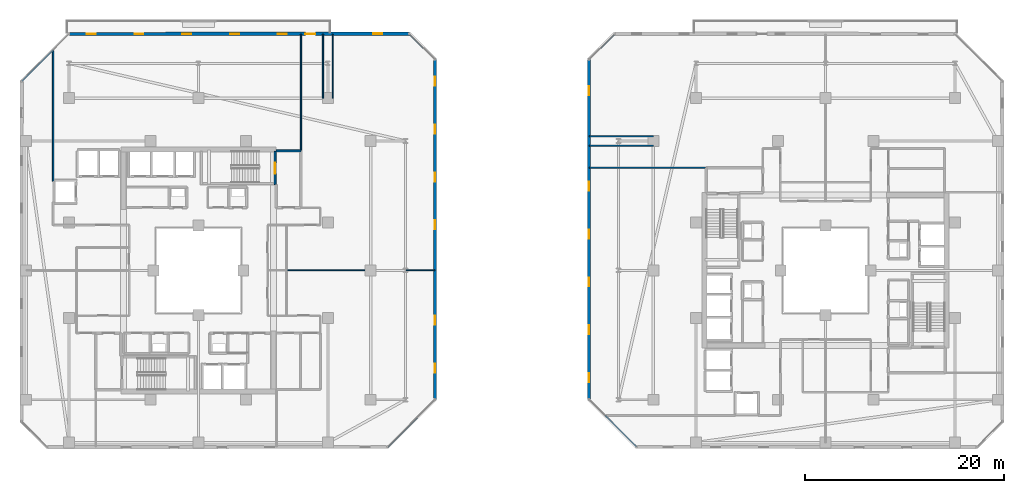
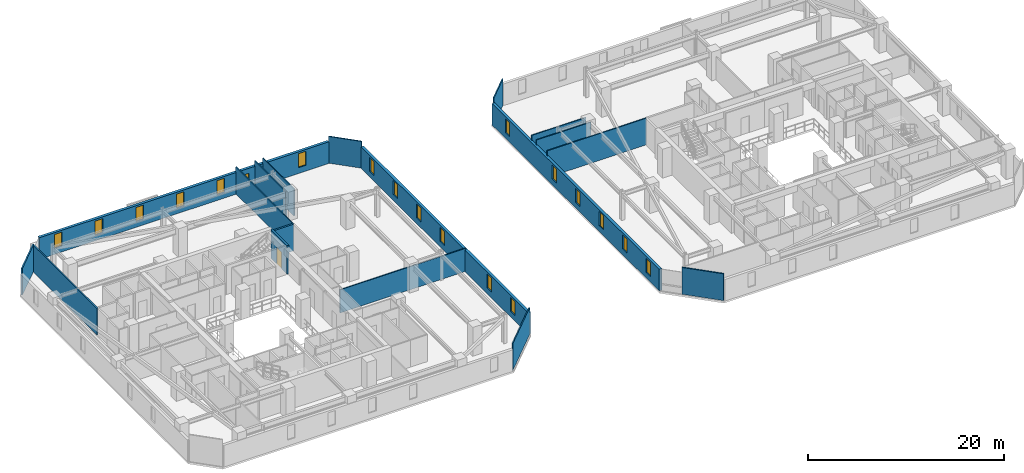
# One storey, part 22 of 33: 18 walls, 18 windows, 2 doors, 20 openings.
"""IFC4 building model written with IfcOpenShell, lengths in metres."""

import ifcopenshell
import ifcopenshell.guid

model = None  # the IFC model being written
_history = None  # IfcOwnerHistory: only IFC2X3 demands one
_inside = {}  # id of a spatial element -> (the spatial element, [elements in it])
_under = {}  # id of a project, library or spatial element -> (it, [spatial elements below it])
_declared = {}  # id of a project -> (the project, [libraries it declares])
_typed = {}  # id of a type object -> (the type object, [elements of that type])
_made_of = {}  # id of a material, layer set ... -> (it, [elements and type objects made of it])


def new_model(schema):
    """Start an empty IFC model of exactly this schema.

    Asked for "IFC4X3", IfcOpenShell would pick the latest addendum, in which some entities
    have other attributes; the version numbers below select the first issue.
    IFC2X3 requires an IfcOwnerHistory on every rooted entity: one is made here for all.
    """
    global model, _history
    if schema == "IFC4X3":
        model = ifcopenshell.file(schema_version=(4, 3, 0, 0))
    else:
        model = ifcopenshell.file(schema=schema)
    _inside.clear()
    _under.clear()
    _declared.clear()
    _typed.clear()
    _made_of.clear()
    _history = None
    if model.schema == "IFC2X3":
        org = make("IfcOrganization", Name="unknown")
        user = make(
            "IfcPersonAndOrganization",
            ThePerson=make("IfcPerson", FamilyName="unknown"),
            TheOrganization=org,
        )
        app = make(
            "IfcApplication",
            ApplicationDeveloper=org,
            Version="unknown",
            ApplicationFullName="unknown",
            ApplicationIdentifier="unknown",
        )
        _history = make(
            "IfcOwnerHistory",
            OwningUser=user,
            OwningApplication=app,
            ChangeAction="ADDED",
            CreationDate=0,
        )
    return model


def make(cls, **values):
    """One entity of the class cls with the attributes given. An attribute that is None is left unset."""
    return model.create_entity(
        cls, **{name: value for name, value in values.items() if value is not None}
    )


def rooted(cls, **values):
    """An entity with a GlobalId (a new one), such as an element, a storey or a relation."""
    return make(cls, GlobalId=ifcopenshell.guid.new(), OwnerHistory=_history, **values)


def si_unit(unit_type, name, prefix=None):
    """IfcSIUnit, for example si_unit("LENGTHUNIT", "METRE", prefix="MILLI")."""
    return make("IfcSIUnit", UnitType=unit_type, Prefix=prefix, Name=name)


def assignment(units):
    """IfcUnitAssignment: the units of a project."""
    return None if units is None else make("IfcUnitAssignment", Units=units)


def point(xyz):
    """IfcCartesianPoint."""
    return None if xyz is None else make("IfcCartesianPoint", Coordinates=xyz)


def direction(xyz):
    """IfcDirection."""
    return None if xyz is None else make("IfcDirection", DirectionRatios=xyz)


def frame(location, z_axis=None, x_axis=None):
    """IfcAxis2Placement3D, a coordinate frame: its origin and axes. An axis left out is left unset."""
    return make(
        "IfcAxis2Placement3D",
        Location=point(location),
        Axis=direction(z_axis),
        RefDirection=direction(x_axis),
    )


def frame_2d(location, x_axis=None):
    """IfcAxis2Placement2D, a coordinate frame in the plane: its origin and x axis."""
    return make(
        "IfcAxis2Placement2D", Location=point(location), RefDirection=direction(x_axis)
    )


def origin():
    """The frame at (0, 0, 0) with its axes left unset."""
    return frame((0.0, 0.0, 0.0))


def place(relative_to, where):
    """IfcLocalPlacement: puts the frame where relative to a parent placement (None: the world)."""
    return make(
        "IfcLocalPlacement", PlacementRelTo=relative_to, RelativePlacement=where
    )


def context(
    kind, dimensions, precision=None, world=None, true_north=None, identifier=None
):
    """IfcGeometricRepresentationContext, for example the 3D "Model" context."""
    return make(
        "IfcGeometricRepresentationContext",
        ContextIdentifier=identifier,
        ContextType=kind,
        CoordinateSpaceDimension=dimensions,
        Precision=precision,
        WorldCoordinateSystem=world,
        TrueNorth=true_north,
    )


def subcontext(parent, identifier, kind, view, scale=None):
    """IfcGeometricRepresentationSubContext, for example "Body" below "Model"."""
    return make(
        "IfcGeometricRepresentationSubContext",
        ContextIdentifier=identifier,
        ContextType=kind,
        ParentContext=parent,
        TargetScale=scale,
        TargetView=view,
    )


def project(units=None, contexts=None):
    """IfcProject with its units and contexts."""
    return rooted(
        "IfcProject",
        Name="project",
        RepresentationContexts=contexts,
        UnitsInContext=assignment(units),
    )


def spatial(cls, under=None, at=None, **own):
    """A site, building, storey or space (cls), placed at a placement, below another one or the project."""
    s = rooted(cls, ObjectPlacement=at, **own)
    if under is not None:
        _under.setdefault(under.id(), (under, []))[1].append(s)
    return s


def profile(cls, at=None, kind="AREA", **sizes):
    """A parametric profile (cls). Its sizes go by their IFC names, for example OverallWidth=200.0."""
    return make(cls, ProfileType=kind, Position=at, **sizes)


def rectangle(**sizes):
    """IfcRectangleProfileDef."""
    return profile("IfcRectangleProfileDef", **sizes)


def extrude(swept, where, along, depth):
    """IfcExtrudedAreaSolid: the profile swept, set in the frame where, extruded along a direction by depth."""
    return make(
        "IfcExtrudedAreaSolid",
        SweptArea=swept,
        Position=where,
        ExtrudedDirection=direction(along),
        Depth=depth,
    )


def shape(context_of_items, identifier, shape_type, items):
    """IfcShapeRepresentation: the items that make up one representation, for example the "Body"."""
    return make(
        "IfcShapeRepresentation",
        ContextOfItems=context_of_items,
        RepresentationIdentifier=identifier,
        RepresentationType=shape_type,
        Items=items,
    )


def material(Name=None, Category=None):
    """IfcMaterial."""
    return make("IfcMaterial", Name=Name, Category=Category)


def layer(
    of_material, thickness, ventilated=None, Name=None, Category=None, Priority=None
):
    """IfcMaterialLayer: one layer of a wall or slab, of a material (None: an air gap)."""
    return make(
        "IfcMaterialLayer",
        Material=of_material,
        LayerThickness=thickness,
        IsVentilated=ventilated,
        Name=Name,
        Category=Category,
        Priority=Priority,
    )


def layer_set(layers, Name=None):
    """IfcMaterialLayerSet."""
    return make("IfcMaterialLayerSet", MaterialLayers=layers, LayerSetName=Name)


def made_of(thing, what):
    """Note that an element or type object is made of a material, layer set ...; save() writes the relation."""
    if what is not None:
        _made_of.setdefault(what.id(), (what, []))[1].append(thing)
    return thing


def type_object(cls, material=None, **own):
    """A type object (cls), such as IfcWallType, which elements share."""
    return made_of(rooted(cls, **own), material)


def element(
    cls,
    number,
    at=None,
    inside=None,
    cuts=None,
    type_object=None,
    material=None,
    context=None,
    identifier="Body",
    shape_type=None,
    held_by="IfcProductDefinitionShape",
    body=None,
    shapes=None,
    **own,
):
    """One element of the class cls, such as IfcWall. Its Tag is "e" and its number.

    at: its placement. inside: the storey or other place that contains it. cuts: it is an
    opening in that element (IfcRelVoidsElement). A single representation is given by context,
    identifier, shape_type and body (its items); several are given by shapes. held_by: the class
    of the entity that holds the representations. save() writes the other relations.
    """
    e = rooted(cls, Tag="e%d" % number, ObjectPlacement=at, **own)
    if body is not None:
        shapes = [shape(context, identifier, shape_type, body)]
    if shapes is not None:
        e.Representation = make(held_by, Representations=shapes)
    if inside is not None:
        _inside.setdefault(inside.id(), (inside, []))[1].append(e)
    if cuts is not None:
        rooted(
            "IfcRelVoidsElement", RelatingBuildingElement=cuts, RelatedOpeningElement=e
        )
    if type_object is not None:
        _typed.setdefault(type_object.id(), (type_object, []))[1].append(e)
    return made_of(e, material)


def fill(opening, filler):
    """IfcRelFillsElement: the door or window that sits in an opening."""
    return rooted(
        "IfcRelFillsElement",
        RelatingOpeningElement=opening,
        RelatedBuildingElement=filler,
    )


def aggregate(whole, parts):
    """IfcRelAggregates: a whole, such as a stair, and the parts it consists of."""
    return rooted("IfcRelAggregates", RelatingObject=whole, RelatedObjects=parts)


def save(model, path):
    """Write the relations noted so far, then the file.

    IfcRelAggregates (storeys below a building ...), IfcRelContainedInSpatialStructure (elements
    in a storey), IfcRelDefinesByType, IfcRelAssociatesMaterial and IfcRelDeclares: one each for
    every whole, place, type object, material and project.
    """
    for whole, parts in _under.values():
        aggregate(whole, parts)
    for where, things in _inside.values():
        rooted(
            "IfcRelContainedInSpatialStructure",
            RelatedElements=things,
            RelatingStructure=where,
        )
    for kind, things in _typed.values():
        rooted("IfcRelDefinesByType", RelatedObjects=things, RelatingType=kind)
    for what, things in _made_of.values():
        rooted("IfcRelAssociatesMaterial", RelatedObjects=things, RelatingMaterial=what)
    for by, libraries in _declared.values():
        rooted("IfcRelDeclares", RelatingContext=by, RelatedDefinitions=libraries)
    model.write(path)


model = new_model("IFC4")

# Units and contexts
model_context = context("Model", 3, precision=1e-05, world=origin(), true_north=direction((0.0, 1.0)))
body_context = subcontext(model_context, "Body", "Model", "MODEL_VIEW")
ifc_project = project(units=[si_unit("LENGTHUNIT", "METRE"), si_unit("AREAUNIT", "SQUARE_METRE"), si_unit("VOLUMEUNIT", "CUBIC_METRE"), si_unit("PLANEANGLEUNIT", "RADIAN"), si_unit("MASSUNIT", "GRAM", prefix="KILO")], contexts=[model_context])

# Site, building, storey
site_placement = place(None, origin())
site = spatial("IfcSite", under=ifc_project, at=site_placement, CompositionType="ELEMENT")
building_placement = place(site_placement, origin())
building = spatial("IfcBuilding", under=site, at=building_placement, Name="Thornwick Lancets Civic Towers", CompositionType="ELEMENT")
storey_placement = place(building_placement, frame((0.0, 0.0, 192.89990234375)))
storey = spatial("IfcBuildingStorey", under=building, at=storey_placement, Name="L51", CompositionType="ELEMENT", Elevation=192.89990234375)

# Wall
ifc_material_1 = material(Name="Concrete blockwork C40/50", Category="masonry")
ifc_layer_1 = layer(ifc_material_1, 0.199951171875, Name="Concrete blockwork C40/50")
ifc_layer_set_1 = layer_set([ifc_layer_1], Name="Concrete blockwork C40/50")
wall_type_1 = type_object("IfcWallType", Name="WALL_COMP_200", PredefinedType="STANDARD", material=ifc_layer_set_1)
wall_1_placement = place(storey_placement, frame((35.800048828125, 39.0, 0.0), z_axis=(0.0, 0.0, 1.0), x_axis=(-1.0, 0.0, 0.0)))
element("IfcWall", 1, at=wall_1_placement, inside=storey, type_object=wall_type_1, Name="L51 Partition L51-A-FFLOB2 E3", PredefinedType="STANDARD", context=body_context, shape_type="SweptSolid", body=[
    extrude(rectangle(XDim=2.5, YDim=0.199951171875, at=frame_2d((1.25, 0.0))), origin(), (0.0, 0.0, 1.0), 3.340087890625),
])

# Wall, openings, windows
ifc_material_2 = material(Name="Insulated buff terracotta rainscreen on concrete C40/50", Category="masonry")
ifc_layer_2 = layer(ifc_material_2, 0.320068359375, Name="Insulated buff terracotta rainscreen on concrete C40/50")
ifc_layer_set_2 = layer_set([ifc_layer_2], Name="Insulated buff terracotta rainscreen on concrete C40/50")
wall_type_2 = type_object("IfcWallType", Name="WALL_EXT_TERRA_320", PredefinedType="STANDARD", material=ifc_layer_set_2)
wall_2_placement = place(storey_placement, frame((49.25732421875, 14.02490234375, 0.0), z_axis=(0.0, 0.0, 1.0), x_axis=(0.000214431216, 0.99999997701, 0.0)))
wall_2 = element("IfcWall", 2, at=wall_2_placement, inside=storey, type_object=wall_type_2, Name="L51 Tower A Terracotta Facade Wall E2", PredefinedType="STANDARD", context=body_context, shape_type="SweptSolid", body=[
    extrude(rectangle(XDim=34.156494140625, YDim=0.320068359375, at=frame_2d((17.078125, 0.0))), origin(), (0.0, 0.0, 1.0), 2.7001953125),
])
opening_1_placement = place(wall_2_placement, frame((2.699951171875, 0.0, 0.719970703125)))
opening_1 = element("IfcOpeningElement", 3, at=opening_1_placement, cuts=wall_2, Name="Opening WL-01", PredefinedType="OPENING", context=body_context, shape_type="SweptSolid", body=[
    extrude(rectangle(XDim=0.89990234375, YDim=1.75, at=frame_2d((0.449951171875, 0.875))), frame((0.0, 0.169921875, 0.0), z_axis=(0.0, -1.0, 0.0), x_axis=(1.0, 0.0, 0.0)), (0.0, 0.0, 1.0), 0.340087890625),
])
opening_2_placement = place(wall_2_placement, frame((7.5, 0.0, 0.719970703125)))
opening_2 = element("IfcOpeningElement", 4, at=opening_2_placement, cuts=wall_2, Name="Opening WL-01", PredefinedType="OPENING", context=body_context, shape_type="SweptSolid", body=[
    extrude(rectangle(XDim=0.89990234375, YDim=1.75, at=frame_2d((0.449951171875, 0.875))), frame((0.0, 0.169921875, 0.0), z_axis=(0.0, -1.0, 0.0), x_axis=(1.0, 0.0, 0.0)), (0.0, 0.0, 1.0), 0.340087890625),
])
opening_3_placement = place(wall_2_placement, frame((17.10009765625, 0.0, 0.719970703125)))
opening_3 = element("IfcOpeningElement", 5, at=opening_3_placement, cuts=wall_2, Name="Opening WL-01", PredefinedType="OPENING", context=body_context, shape_type="SweptSolid", body=[
    extrude(rectangle(XDim=0.89990234375, YDim=1.75, at=frame_2d((0.449951171875, 0.875))), frame((0.0, 0.169921875, 0.0), z_axis=(0.0, -1.0, 0.0), x_axis=(1.0, 0.0, 0.0)), (0.0, 0.0, 1.0), 0.340087890625),
])
opening_4_placement = place(wall_2_placement, frame((21.89990234375, 0.0, 0.719970703125)))
opening_4 = element("IfcOpeningElement", 6, at=opening_4_placement, cuts=wall_2, Name="Opening WL-01", PredefinedType="OPENING", context=body_context, shape_type="SweptSolid", body=[
    extrude(rectangle(XDim=0.89990234375, YDim=1.75, at=frame_2d((0.449951171875, 0.875))), frame((0.0, 0.169921875, 0.0), z_axis=(0.0, -1.0, 0.0), x_axis=(1.0, 0.0, 0.0)), (0.0, 0.0, 1.0), 0.340087890625),
])
opening_5_placement = place(wall_2_placement, frame((26.699951171875, 0.0, 0.719970703125)))
opening_5 = element("IfcOpeningElement", 7, at=opening_5_placement, cuts=wall_2, Name="Opening WL-01", PredefinedType="OPENING", context=body_context, shape_type="SweptSolid", body=[
    extrude(rectangle(XDim=0.89990234375, YDim=1.75, at=frame_2d((0.449951171875, 0.875))), frame((0.0, 0.169921875, 0.0), z_axis=(0.0, -1.0, 0.0), x_axis=(1.0, 0.0, 0.0)), (0.0, 0.0, 1.0), 0.340087890625),
])
opening_6_placement = place(wall_2_placement, frame((31.5, 0.0, 0.719970703125)))
opening_6 = element("IfcOpeningElement", 8, at=opening_6_placement, cuts=wall_2, Name="Opening WL-01", PredefinedType="OPENING", context=body_context, shape_type="SweptSolid", body=[
    extrude(rectangle(XDim=0.89990234375, YDim=1.75, at=frame_2d((0.449951171875, 0.875))), frame((0.0, 0.169921875, 0.0), z_axis=(0.0, -1.0, 0.0), x_axis=(1.0, 0.0, 0.0)), (0.0, 0.0, 1.0), 0.340087890625),
])
ifc_material_3 = material(Name="Clear low-e double glazing in bronze frame", Category="glass")
window_type = type_object("IfcWindowType", Name="WIN_LANCET_900", PartitioningType="SINGLE_PANEL", PredefinedType="WINDOW", material=ifc_material_3)
window_1_placement = place(opening_1_placement, origin())
window_1 = element("IfcWindow", 9, at=window_1_placement, inside=storey, type_object=window_type, Name="L51 Tower A Staggered Lancet Window E2-1", OverallHeight=1.75, OverallWidth=0.89990234375, PartitioningType="SINGLE_PANEL", PredefinedType="WINDOW", context=body_context, shape_type="SweptSolid", body=[
    extrude(rectangle(XDim=0.89990234375, YDim=1.75, at=frame_2d((0.449951171875, 0.875))), frame((0.0, 0.030029296875, 0.0), z_axis=(0.0, -1.0, 0.0), x_axis=(1.0, 0.0, 0.0)), (0.0, 0.0, 1.0), 0.06005859375),
])
fill(opening_1, window_1)
window_2_placement = place(opening_2_placement, origin())
window_2 = element("IfcWindow", 10, at=window_2_placement, inside=storey, type_object=window_type, Name="L51 Tower A Staggered Lancet Window E2-2", OverallHeight=1.75, OverallWidth=0.89990234375, PartitioningType="SINGLE_PANEL", PredefinedType="WINDOW", context=body_context, shape_type="SweptSolid", body=[
    extrude(rectangle(XDim=0.89990234375, YDim=1.75, at=frame_2d((0.449951171875, 0.875))), frame((0.0, 0.030029296875, 0.0), z_axis=(0.0, -1.0, 0.0), x_axis=(1.0, 0.0, 0.0)), (0.0, 0.0, 1.0), 0.06005859375),
])
fill(opening_2, window_2)
window_3_placement = place(opening_3_placement, origin())
window_3 = element("IfcWindow", 11, at=window_3_placement, inside=storey, type_object=window_type, Name="L51 Tower A Staggered Lancet Window E2-3", OverallHeight=1.75, OverallWidth=0.89990234375, PartitioningType="SINGLE_PANEL", PredefinedType="WINDOW", context=body_context, shape_type="SweptSolid", body=[
    extrude(rectangle(XDim=0.89990234375, YDim=1.75, at=frame_2d((0.449951171875, 0.875))), frame((0.0, 0.030029296875, 0.0), z_axis=(0.0, -1.0, 0.0), x_axis=(1.0, 0.0, 0.0)), (0.0, 0.0, 1.0), 0.06005859375),
])
fill(opening_3, window_3)
window_4_placement = place(opening_4_placement, origin())
window_4 = element("IfcWindow", 12, at=window_4_placement, inside=storey, type_object=window_type, Name="L51 Tower A Staggered Lancet Window E2-4", OverallHeight=1.75, OverallWidth=0.89990234375, PartitioningType="SINGLE_PANEL", PredefinedType="WINDOW", context=body_context, shape_type="SweptSolid", body=[
    extrude(rectangle(XDim=0.89990234375, YDim=1.75, at=frame_2d((0.449951171875, 0.875))), frame((0.0, 0.030029296875, 0.0), z_axis=(0.0, -1.0, 0.0), x_axis=(1.0, 0.0, 0.0)), (0.0, 0.0, 1.0), 0.06005859375),
])
fill(opening_4, window_4)
window_5_placement = place(opening_5_placement, origin())
window_5 = element("IfcWindow", 13, at=window_5_placement, inside=storey, type_object=window_type, Name="L51 Tower A Staggered Lancet Window E2-5", OverallHeight=1.75, OverallWidth=0.89990234375, PartitioningType="SINGLE_PANEL", PredefinedType="WINDOW", context=body_context, shape_type="SweptSolid", body=[
    extrude(rectangle(XDim=0.89990234375, YDim=1.75, at=frame_2d((0.449951171875, 0.875))), frame((0.0, 0.030029296875, 0.0), z_axis=(0.0, -1.0, 0.0), x_axis=(1.0, 0.0, 0.0)), (0.0, 0.0, 1.0), 0.06005859375),
])
fill(opening_5, window_5)
window_6_placement = place(opening_6_placement, origin())
window_6 = element("IfcWindow", 14, at=window_6_placement, inside=storey, type_object=window_type, Name="L51 Tower A Staggered Lancet Window E2-6", OverallHeight=1.75, OverallWidth=0.89990234375, PartitioningType="SINGLE_PANEL", PredefinedType="WINDOW", context=body_context, shape_type="SweptSolid", body=[
    extrude(rectangle(XDim=0.89990234375, YDim=1.75, at=frame_2d((0.449951171875, 0.875))), frame((0.0, 0.030029296875, 0.0), z_axis=(0.0, -1.0, 0.0), x_axis=(1.0, 0.0, 0.0)), (0.0, 0.0, 1.0), 0.06005859375),
])
fill(opening_6, window_6)

# Wall, openings, door, windows
wall_3_placement = place(storey_placement, frame((46.681396484375, 50.7646484375, 0.0), z_axis=(0.0, 0.0, 1.0), x_axis=(-0.99999997701, -0.000214431216, 0.0)))
wall_3 = element("IfcWall", 15, at=wall_3_placement, inside=storey, type_object=wall_type_2, Name="L51 Tower A Terracotta Facade Wall E4", PredefinedType="STANDARD", context=body_context, shape_type="SweptSolid", body=[
    extrude(rectangle(XDim=34.156494140625, YDim=0.320068359375, at=frame_2d((17.078125, 0.0))), origin(), (0.0, 0.0, 1.0), 2.7001953125),
])
opening_7_placement = place(wall_3_placement, frame((9.42822265625, 0.0, 0.0)))
opening_7 = element("IfcOpeningElement", 16, at=opening_7_placement, cuts=wall_3, Name="Opening D-BL-L51-AN", PredefinedType="OPENING", context=body_context, shape_type="SweptSolid", body=[
    extrude(rectangle(XDim=1.0, YDim=2.080078125, at=frame_2d((0.5, 1.0400390625))), frame((0.0, 0.169921875, 0.0), z_axis=(0.0, -1.0, 0.0), x_axis=(1.0, 0.0, 0.0)), (0.0, 0.0, 1.0), 0.340087890625),
])
opening_8_placement = place(wall_3_placement, frame((2.699951171875, 0.0, 0.719970703125)))
opening_8 = element("IfcOpeningElement", 17, at=opening_8_placement, cuts=wall_3, Name="Opening WL-01", PredefinedType="OPENING", context=body_context, shape_type="SweptSolid", body=[
    extrude(rectangle(XDim=0.89990234375, YDim=1.75, at=frame_2d((0.449951171875, 0.875))), frame((0.0, 0.169921875, 0.0), z_axis=(0.0, -1.0, 0.0), x_axis=(1.0, 0.0, 0.0)), (0.0, 0.0, 1.0), 0.340087890625),
])
opening_9_placement = place(wall_3_placement, frame((12.300048828125, 0.0, 0.719970703125)))
opening_9 = element("IfcOpeningElement", 18, at=opening_9_placement, cuts=wall_3, Name="Opening WL-01", PredefinedType="OPENING", context=body_context, shape_type="SweptSolid", body=[
    extrude(rectangle(XDim=0.89990234375, YDim=1.75, at=frame_2d((0.449951171875, 0.875))), frame((0.0, 0.169921875, 0.0), z_axis=(0.0, -1.0, 0.0), x_axis=(1.0, 0.0, 0.0)), (0.0, 0.0, 1.0), 0.340087890625),
])
opening_10_placement = place(wall_3_placement, frame((17.10009765625, 0.0, 0.719970703125)))
opening_10 = element("IfcOpeningElement", 19, at=opening_10_placement, cuts=wall_3, Name="Opening WL-01", PredefinedType="OPENING", context=body_context, shape_type="SweptSolid", body=[
    extrude(rectangle(XDim=0.89990234375, YDim=1.75, at=frame_2d((0.449951171875, 0.875))), frame((0.0, 0.169921875, 0.0), z_axis=(0.0, -1.0, 0.0), x_axis=(1.0, 0.0, 0.0)), (0.0, 0.0, 1.0), 0.340087890625),
])
opening_11_placement = place(wall_3_placement, frame((21.89990234375, 0.0, 0.719970703125)))
opening_11 = element("IfcOpeningElement", 20, at=opening_11_placement, cuts=wall_3, Name="Opening WL-01", PredefinedType="OPENING", context=body_context, shape_type="SweptSolid", body=[
    extrude(rectangle(XDim=0.89990234375, YDim=1.75, at=frame_2d((0.449951171875, 0.875))), frame((0.0, 0.169921875, 0.0), z_axis=(0.0, -1.0, 0.0), x_axis=(1.0, 0.0, 0.0)), (0.0, 0.0, 1.0), 0.340087890625),
])
opening_12_placement = place(wall_3_placement, frame((26.699951171875, 0.0, 0.719970703125)))
opening_12 = element("IfcOpeningElement", 21, at=opening_12_placement, cuts=wall_3, Name="Opening WL-01", PredefinedType="OPENING", context=body_context, shape_type="SweptSolid", body=[
    extrude(rectangle(XDim=0.89990234375, YDim=1.75, at=frame_2d((0.449951171875, 0.875))), frame((0.0, 0.169921875, 0.0), z_axis=(0.0, -1.0, 0.0), x_axis=(1.0, 0.0, 0.0)), (0.0, 0.0, 1.0), 0.340087890625),
])
opening_13_placement = place(wall_3_placement, frame((31.5, 0.0, 0.719970703125)))
opening_13 = element("IfcOpeningElement", 22, at=opening_13_placement, cuts=wall_3, Name="Opening WL-01", PredefinedType="OPENING", context=body_context, shape_type="SweptSolid", body=[
    extrude(rectangle(XDim=0.89990234375, YDim=1.75, at=frame_2d((0.449951171875, 0.875))), frame((0.0, 0.169921875, 0.0), z_axis=(0.0, -1.0, 0.0), x_axis=(1.0, 0.0, 0.0)), (0.0, 0.0, 1.0), 0.340087890625),
])
ifc_material_4 = material(Name="Thermally broken glazed loggia doorset")
door_type_1 = type_object("IfcDoorType", Name="DOOR_BALC_1000", OperationType="NOTDEFINED", PredefinedType="DOOR", material=ifc_material_4)
door_1_placement = place(opening_7_placement, origin())
door_1 = element("IfcDoor", 23, at=door_1_placement, inside=storey, type_object=door_type_1, Name="L51 Tower A Loggia Balcony Door N", OperationType="SINGLE_SWING_RIGHT", OverallHeight=2.080078125, OverallWidth=1.0, PredefinedType="DOOR", context=body_context, shape_type="SweptSolid", body=[
    extrude(rectangle(XDim=1.0, YDim=2.080078125, at=frame_2d((0.5, 1.0400390625))), frame((0.0, 0.02490234375, 0.0), z_axis=(0.0, -1.0, 0.0), x_axis=(1.0, 0.0, 0.0)), (0.0, 0.0, 1.0), 0.050048828125),
])
fill(opening_7, door_1)
window_7_placement = place(opening_8_placement, origin())
window_7 = element("IfcWindow", 24, at=window_7_placement, inside=storey, type_object=window_type, Name="L51 Tower A Staggered Lancet Window E4-1", OverallHeight=1.75, OverallWidth=0.89990234375, PartitioningType="SINGLE_PANEL", PredefinedType="WINDOW", context=body_context, shape_type="SweptSolid", body=[
    extrude(rectangle(XDim=0.89990234375, YDim=1.75, at=frame_2d((0.449951171875, 0.875))), frame((0.0, 0.030029296875, 0.0), z_axis=(0.0, -1.0, 0.0), x_axis=(1.0, 0.0, 0.0)), (0.0, 0.0, 1.0), 0.06005859375),
])
fill(opening_8, window_7)
window_8_placement = place(opening_9_placement, origin())
window_8 = element("IfcWindow", 25, at=window_8_placement, inside=storey, type_object=window_type, Name="L51 Tower A Staggered Lancet Window E4-2", OverallHeight=1.75, OverallWidth=0.89990234375, PartitioningType="SINGLE_PANEL", PredefinedType="WINDOW", context=body_context, shape_type="SweptSolid", body=[
    extrude(rectangle(XDim=0.89990234375, YDim=1.75, at=frame_2d((0.449951171875, 0.875))), frame((0.0, 0.030029296875, 0.0), z_axis=(0.0, -1.0, 0.0), x_axis=(1.0, 0.0, 0.0)), (0.0, 0.0, 1.0), 0.06005859375),
])
fill(opening_9, window_8)
window_9_placement = place(opening_10_placement, origin())
window_9 = element("IfcWindow", 26, at=window_9_placement, inside=storey, type_object=window_type, Name="L51 Tower A Staggered Lancet Window E4-3", OverallHeight=1.75, OverallWidth=0.89990234375, PartitioningType="SINGLE_PANEL", PredefinedType="WINDOW", context=body_context, shape_type="SweptSolid", body=[
    extrude(rectangle(XDim=0.89990234375, YDim=1.75, at=frame_2d((0.449951171875, 0.875))), frame((0.0, 0.030029296875, 0.0), z_axis=(0.0, -1.0, 0.0), x_axis=(1.0, 0.0, 0.0)), (0.0, 0.0, 1.0), 0.06005859375),
])
fill(opening_10, window_9)
window_10_placement = place(opening_11_placement, origin())
window_10 = element("IfcWindow", 27, at=window_10_placement, inside=storey, type_object=window_type, Name="L51 Tower A Staggered Lancet Window E4-4", OverallHeight=1.75, OverallWidth=0.89990234375, PartitioningType="SINGLE_PANEL", PredefinedType="WINDOW", context=body_context, shape_type="SweptSolid", body=[
    extrude(rectangle(XDim=0.89990234375, YDim=1.75, at=frame_2d((0.449951171875, 0.875))), frame((0.0, 0.030029296875, 0.0), z_axis=(0.0, -1.0, 0.0), x_axis=(1.0, 0.0, 0.0)), (0.0, 0.0, 1.0), 0.06005859375),
])
fill(opening_11, window_10)
window_11_placement = place(opening_12_placement, origin())
window_11 = element("IfcWindow", 28, at=window_11_placement, inside=storey, type_object=window_type, Name="L51 Tower A Staggered Lancet Window E4-5", OverallHeight=1.75, OverallWidth=0.89990234375, PartitioningType="SINGLE_PANEL", PredefinedType="WINDOW", context=body_context, shape_type="SweptSolid", body=[
    extrude(rectangle(XDim=0.89990234375, YDim=1.75, at=frame_2d((0.449951171875, 0.875))), frame((0.0, 0.030029296875, 0.0), z_axis=(0.0, -1.0, 0.0), x_axis=(1.0, 0.0, 0.0)), (0.0, 0.0, 1.0), 0.06005859375),
])
fill(opening_12, window_11)
window_12_placement = place(opening_13_placement, origin())
window_12 = element("IfcWindow", 29, at=window_12_placement, inside=storey, type_object=window_type, Name="L51 Tower A Staggered Lancet Window E4-6", OverallHeight=1.75, OverallWidth=0.89990234375, PartitioningType="SINGLE_PANEL", PredefinedType="WINDOW", context=body_context, shape_type="SweptSolid", body=[
    extrude(rectangle(XDim=0.89990234375, YDim=1.75, at=frame_2d((0.449951171875, 0.875))), frame((0.0, 0.030029296875, 0.0), z_axis=(0.0, -1.0, 0.0), x_axis=(1.0, 0.0, 0.0)), (0.0, 0.0, 1.0), 0.06005859375),
])
fill(opening_13, window_12)

# Wall, openings, windows
wall_4_placement = place(storey_placement, frame((64.7353515625, 48.181396484375, 0.0), z_axis=(0.0, 0.0, 1.0), x_axis=(0.000214431216, -0.99999997701, 0.0)))
wall_4 = element("IfcWall", 30, at=wall_4_placement, inside=storey, type_object=wall_type_2, Name="L51 Tower B Terracotta Facade Wall E6", PredefinedType="STANDARD", context=body_context, shape_type="SweptSolid", body=[
    extrude(rectangle(XDim=34.156494140625, YDim=0.320068359375, at=frame_2d((17.078125, 0.0))), origin(), (0.0, 0.0, 1.0), 2.7001953125),
])
opening_14_placement = place(wall_4_placement, frame((2.699951171875, 0.0, 0.719970703125)))
opening_14 = element("IfcOpeningElement", 31, at=opening_14_placement, cuts=wall_4, Name="Opening WL-01", PredefinedType="OPENING", context=body_context, shape_type="SweptSolid", body=[
    extrude(rectangle(XDim=0.89990234375, YDim=1.75, at=frame_2d((0.449951171875, 0.875))), frame((0.0, 0.169921875, 0.0), z_axis=(0.0, -1.0, 0.0), x_axis=(1.0, 0.0, 0.0)), (0.0, 0.0, 1.0), 0.340087890625),
])
opening_15_placement = place(wall_4_placement, frame((12.300048828125, 0.0, 0.719970703125)))
opening_15 = element("IfcOpeningElement", 32, at=opening_15_placement, cuts=wall_4, Name="Opening WL-01", PredefinedType="OPENING", context=body_context, shape_type="SweptSolid", body=[
    extrude(rectangle(XDim=0.89990234375, YDim=1.75, at=frame_2d((0.449951171875, 0.875))), frame((0.0, 0.169921875, 0.0), z_axis=(0.0, -1.0, 0.0), x_axis=(1.0, 0.0, 0.0)), (0.0, 0.0, 1.0), 0.340087890625),
])
opening_16_placement = place(wall_4_placement, frame((17.10009765625, 0.0, 0.719970703125)))
opening_16 = element("IfcOpeningElement", 33, at=opening_16_placement, cuts=wall_4, Name="Opening WL-01", PredefinedType="OPENING", context=body_context, shape_type="SweptSolid", body=[
    extrude(rectangle(XDim=0.89990234375, YDim=1.75, at=frame_2d((0.449951171875, 0.875))), frame((0.0, 0.169921875, 0.0), z_axis=(0.0, -1.0, 0.0), x_axis=(1.0, 0.0, 0.0)), (0.0, 0.0, 1.0), 0.340087890625),
])
opening_17_placement = place(wall_4_placement, frame((21.89990234375, 0.0, 0.719970703125)))
opening_17 = element("IfcOpeningElement", 34, at=opening_17_placement, cuts=wall_4, Name="Opening WL-01", PredefinedType="OPENING", context=body_context, shape_type="SweptSolid", body=[
    extrude(rectangle(XDim=0.89990234375, YDim=1.75, at=frame_2d((0.449951171875, 0.875))), frame((0.0, 0.169921875, 0.0), z_axis=(0.0, -1.0, 0.0), x_axis=(1.0, 0.0, 0.0)), (0.0, 0.0, 1.0), 0.340087890625),
])
opening_18_placement = place(wall_4_placement, frame((26.699951171875, 0.0, 0.719970703125)))
opening_18 = element("IfcOpeningElement", 35, at=opening_18_placement, cuts=wall_4, Name="Opening WL-01", PredefinedType="OPENING", context=body_context, shape_type="SweptSolid", body=[
    extrude(rectangle(XDim=0.89990234375, YDim=1.75, at=frame_2d((0.449951171875, 0.875))), frame((0.0, 0.169921875, 0.0), z_axis=(0.0, -1.0, 0.0), x_axis=(1.0, 0.0, 0.0)), (0.0, 0.0, 1.0), 0.340087890625),
])
opening_19_placement = place(wall_4_placement, frame((31.5, 0.0, 0.719970703125)))
opening_19 = element("IfcOpeningElement", 36, at=opening_19_placement, cuts=wall_4, Name="Opening WL-01", PredefinedType="OPENING", context=body_context, shape_type="SweptSolid", body=[
    extrude(rectangle(XDim=0.89990234375, YDim=1.75, at=frame_2d((0.449951171875, 0.875))), frame((0.0, 0.169921875, 0.0), z_axis=(0.0, -1.0, 0.0), x_axis=(1.0, 0.0, 0.0)), (0.0, 0.0, 1.0), 0.340087890625),
])
window_13_placement = place(opening_14_placement, origin())
window_13 = element("IfcWindow", 37, at=window_13_placement, inside=storey, type_object=window_type, Name="L51 Tower B Staggered Lancet Window E6-1", OverallHeight=1.75, OverallWidth=0.89990234375, PartitioningType="SINGLE_PANEL", PredefinedType="WINDOW", context=body_context, shape_type="SweptSolid", body=[
    extrude(rectangle(XDim=0.89990234375, YDim=1.75, at=frame_2d((0.449951171875, 0.875))), frame((0.0, 0.030029296875, 0.0), z_axis=(0.0, -1.0, 0.0), x_axis=(1.0, 0.0, 0.0)), (0.0, 0.0, 1.0), 0.06005859375),
])
fill(opening_14, window_13)
window_14_placement = place(opening_15_placement, origin())
window_14 = element("IfcWindow", 38, at=window_14_placement, inside=storey, type_object=window_type, Name="L51 Tower B Staggered Lancet Window E6-2", OverallHeight=1.75, OverallWidth=0.89990234375, PartitioningType="SINGLE_PANEL", PredefinedType="WINDOW", context=body_context, shape_type="SweptSolid", body=[
    extrude(rectangle(XDim=0.89990234375, YDim=1.75, at=frame_2d((0.449951171875, 0.875))), frame((0.0, 0.030029296875, 0.0), z_axis=(0.0, -1.0, 0.0), x_axis=(1.0, 0.0, 0.0)), (0.0, 0.0, 1.0), 0.06005859375),
])
fill(opening_15, window_14)
window_15_placement = place(opening_16_placement, origin())
window_15 = element("IfcWindow", 39, at=window_15_placement, inside=storey, type_object=window_type, Name="L51 Tower B Staggered Lancet Window E6-3", OverallHeight=1.75, OverallWidth=0.89990234375, PartitioningType="SINGLE_PANEL", PredefinedType="WINDOW", context=body_context, shape_type="SweptSolid", body=[
    extrude(rectangle(XDim=0.89990234375, YDim=1.75, at=frame_2d((0.449951171875, 0.875))), frame((0.0, 0.030029296875, 0.0), z_axis=(0.0, -1.0, 0.0), x_axis=(1.0, 0.0, 0.0)), (0.0, 0.0, 1.0), 0.06005859375),
])
fill(opening_16, window_15)
window_16_placement = place(opening_17_placement, origin())
window_16 = element("IfcWindow", 40, at=window_16_placement, inside=storey, type_object=window_type, Name="L51 Tower B Staggered Lancet Window E6-4", OverallHeight=1.75, OverallWidth=0.89990234375, PartitioningType="SINGLE_PANEL", PredefinedType="WINDOW", context=body_context, shape_type="SweptSolid", body=[
    extrude(rectangle(XDim=0.89990234375, YDim=1.75, at=frame_2d((0.449951171875, 0.875))), frame((0.0, 0.030029296875, 0.0), z_axis=(0.0, -1.0, 0.0), x_axis=(1.0, 0.0, 0.0)), (0.0, 0.0, 1.0), 0.06005859375),
])
fill(opening_17, window_16)
window_17_placement = place(opening_18_placement, origin())
window_17 = element("IfcWindow", 41, at=window_17_placement, inside=storey, type_object=window_type, Name="L51 Tower B Staggered Lancet Window E6-5", OverallHeight=1.75, OverallWidth=0.89990234375, PartitioningType="SINGLE_PANEL", PredefinedType="WINDOW", context=body_context, shape_type="SweptSolid", body=[
    extrude(rectangle(XDim=0.89990234375, YDim=1.75, at=frame_2d((0.449951171875, 0.875))), frame((0.0, 0.030029296875, 0.0), z_axis=(0.0, -1.0, 0.0), x_axis=(1.0, 0.0, 0.0)), (0.0, 0.0, 1.0), 0.06005859375),
])
fill(opening_18, window_17)
window_18_placement = place(opening_19_placement, origin())
window_18 = element("IfcWindow", 42, at=window_18_placement, inside=storey, type_object=window_type, Name="L51 Tower B Staggered Lancet Window E6-6", OverallHeight=1.75, OverallWidth=0.89990234375, PartitioningType="SINGLE_PANEL", PredefinedType="WINDOW", context=body_context, shape_type="SweptSolid", body=[
    extrude(rectangle(XDim=0.89990234375, YDim=1.75, at=frame_2d((0.449951171875, 0.875))), frame((0.0, 0.030029296875, 0.0), z_axis=(0.0, -1.0, 0.0), x_axis=(1.0, 0.0, 0.0)), (0.0, 0.0, 1.0), 0.06005859375),
])
fill(opening_19, window_18)

# Walls
ifc_material_5 = material(Name="Acoustic gypsum board partition")
ifc_layer_3 = layer(ifc_material_5, 0.1201171875, Name="Acoustic gypsum board partition")
ifc_layer_set_3 = layer_set([ifc_layer_3], Name="Acoustic gypsum board partition")
wall_type_3 = type_object("IfcWallType", Name="WALL_PART_120", PredefinedType="PARTITIONING", material=ifc_layer_set_3)
wall_5_placement = place(storey_placement, frame((34.35009765625, 27.0, 0.0), z_axis=(0.0, 0.0, 1.0), x_axis=(1.0, 0.0, 0.0)))
element("IfcWall", 43, at=wall_5_placement, inside=storey, type_object=wall_type_3, Name="L51 Partition L51-A-E2 E7", PredefinedType="PARTITIONING", context=body_context, shape_type="SweptSolid", body=[
    extrude(rectangle(XDim=14.869873046875, YDim=0.1201171875, at=frame_2d((7.43505859375, 0.0))), origin(), (0.0, 0.0, 1.0), 2.881591796875),
])
wall_6_placement = place(storey_placement, frame((49.219970703125, 13.989501953125, 0.0), z_axis=(0.0, 0.0, 1.0), x_axis=(-0.707106781187, -0.707106781187, 0.0)))
element("IfcWall", 44, at=wall_6_placement, inside=storey, type_object=wall_type_3, Name="L51 Partition L51-A-E2 E9", PredefinedType="PARTITIONING", context=body_context, shape_type="SweptSolid", body=[
    extrude(rectangle(XDim=6.66015625, YDim=0.1201171875, at=frame_2d((3.330078125, 0.0))), origin(), (0.0, 0.0, 1.0), 3.340087890625),
])
wall_7_placement = place(storey_placement, frame((35.800048828125, 39.0, 0.0), z_axis=(0.0, 0.0, 1.0), x_axis=(0.0, 1.0, 0.0)))
element("IfcWall", 45, at=wall_7_placement, inside=storey, type_object=wall_type_3, Name="L51 Partition L51-A-E4 E6", PredefinedType="PARTITIONING", context=body_context, shape_type="SweptSolid", body=[
    extrude(rectangle(XDim=11.719970703125, YDim=0.1201171875, at=frame_2d((5.85986328125, 0.0))), origin(), (0.0, 0.0, 1.0), 3.340087890625),
])
for number, where, z_axis, x_axis, name in (
    (46, (38.02001953125, 50.719970703125, 0.0), (0.0, 0.0, 1.0), (0.0, -1.0, 0.0), "L51 Partition L51-A-E4 E8"),
    (47, (38.97998046875, 44.300048828125, 0.0), (0.0, 0.0, 1.0), (0.0, 1.0, 0.0), "L51 Partition L51-A-E4 E10"),
):
    element("IfcWall", number, at=place(storey_placement, frame(where, z_axis=z_axis, x_axis=x_axis)), inside=storey, type_object=wall_type_3, Name=name, PredefinedType="PARTITIONING", context=body_context, shape_type="SweptSolid", body=[
        extrude(rectangle(XDim=6.419921875, YDim=0.1201171875, at=frame_2d((3.2099609375, 0.0))), origin(), (0.0, 0.0, 1.0), 3.340087890625),
    ])
wall_8_placement = place(storey_placement, frame((46.725341796875, 50.719970703125, 0.0), z_axis=(0.0, 0.0, 1.0), x_axis=(0.707106781187, -0.707106781187, 0.0)))
element("IfcWall", 48, at=wall_8_placement, inside=storey, type_object=wall_type_3, Name="L51 Partition L51-A-E4 E12", PredefinedType="PARTITIONING", context=body_context, shape_type="SweptSolid", body=[
    extrude(rectangle(XDim=3.52783203125, YDim=0.1201171875, at=frame_2d((1.763916015625, 0.0))), origin(), (0.0, 0.0, 1.0), 3.340087890625),
])
wall_9_placement = place(storey_placement, frame((76.5, 37.300048828125, 0.0), z_axis=(0.0, 0.0, 1.0), x_axis=(-1.0, 0.0, 0.0)))
element("IfcWall", 49, at=wall_9_placement, inside=storey, type_object=wall_type_3, Name="L51 Partition L51-B-E4 E6", PredefinedType="PARTITIONING", context=body_context, shape_type="SweptSolid", body=[
    extrude(rectangle(XDim=11.719970703125, YDim=0.1201171875, at=frame_2d((5.85986328125, 0.0))), origin(), (0.0, 0.0, 1.0), 3.340087890625),
])
for number, where, z_axis, x_axis, name in (
    (50, (64.780029296875, 39.52001953125, 0.0), (0.0, 0.0, 1.0), (1.0, 0.0, 0.0), "L51 Partition L51-B-E4 E8"),
    (51, (71.199951171875, 40.47998046875, 0.0), (0.0, 0.0, 1.0), (-1.0, 0.0, 0.0), "L51 Partition L51-B-E4 E10"),
):
    element("IfcWall", number, at=place(storey_placement, frame(where, z_axis=z_axis, x_axis=x_axis)), inside=storey, type_object=wall_type_3, Name=name, PredefinedType="PARTITIONING", context=body_context, shape_type="SweptSolid", body=[
        extrude(rectangle(XDim=6.419921875, YDim=0.1201171875, at=frame_2d((3.2099609375, 0.0))), origin(), (0.0, 0.0, 1.0), 3.340087890625),
    ])
wall_10_placement = place(storey_placement, frame((64.780029296875, 48.225341796875, 0.0), z_axis=(0.0, 0.0, 1.0), x_axis=(0.707106781187, 0.707106781187, 0.0)))
element("IfcWall", 52, at=wall_10_placement, inside=storey, type_object=wall_type_3, Name="L51 Partition L51-B-E4 E12", PredefinedType="PARTITIONING", context=body_context, shape_type="SweptSolid", body=[
    extrude(rectangle(XDim=3.52783203125, YDim=0.1201171875, at=frame_2d((1.763916015625, 0.0))), origin(), (0.0, 0.0, 1.0), 3.340087890625),
])
ifc_material_6 = material(Name="Twin-stud acoustic gypsum board")
ifc_layer_4 = layer(ifc_material_6, 0.14990234375, Name="Twin-stud acoustic gypsum board")
ifc_layer_set_4 = layer_set([ifc_layer_4], Name="Twin-stud acoustic gypsum board")
wall_type_4 = type_object("IfcWallType", Name="WALL_PART_150", PredefinedType="PARTITIONING", material=ifc_layer_set_4)
wall_11_placement = place(storey_placement, frame((7.780029296875, 46.010498046875, 0.0), z_axis=(0.0, 0.0, 1.0), x_axis=(0.707106781187, 0.707106781187, 0.0)))
element("IfcWall", 53, at=wall_11_placement, inside=storey, type_object=wall_type_4, Name="L51 Partition L51-A-W4 E13", PredefinedType="PARTITIONING", context=body_context, shape_type="SweptSolid", body=[
    extrude(rectangle(XDim=4.412109375, YDim=0.14990234375, at=frame_2d((2.2060546875, 0.0))), origin(), (0.0, 0.0, 1.0), 3.340087890625),
])
wall_12_placement = place(storey_placement, frame((10.89990234375, 49.13037109375, 0.0), z_axis=(0.0, 0.0, 1.0), x_axis=(0.0, -1.0, 0.0)))
element("IfcWall", 54, at=wall_12_placement, inside=storey, type_object=wall_type_4, Name="L51 Partition L51-A-W4 E14", PredefinedType="PARTITIONING", context=body_context, shape_type="SweptSolid", body=[
    extrude(rectangle(XDim=13.1923828125, YDim=0.14990234375, at=frame_2d((6.59619140625, 0.0))), origin(), (0.0, 0.0, 1.0), 3.340087890625),
])
wall_13_placement = place(storey_placement, frame((69.489501953125, 9.280029296875, 0.0), z_axis=(0.0, 0.0, 1.0), x_axis=(-0.707106781187, 0.707106781187, 0.0)))
element("IfcWall", 55, at=wall_13_placement, inside=storey, type_object=wall_type_4, Name="L51 Partition L51-B-W4 E13", PredefinedType="PARTITIONING", context=body_context, shape_type="SweptSolid", body=[
    extrude(rectangle(XDim=4.412109375, YDim=0.14990234375, at=frame_2d((2.2060546875, 0.0))), origin(), (0.0, 0.0, 1.0), 3.340087890625),
])

# Wall, opening, door
ifc_material_7 = material(Name="Concrete C40/50", Category="concrete")
ifc_layer_5 = layer(ifc_material_7, 0.199951171875, Name="Concrete C40/50")
ifc_layer_set_5 = layer_set([ifc_layer_5], Name="Concrete C40/50")
wall_type_5 = type_object("IfcWallType", Name="WALL_SHAFT_200", PredefinedType="SHEAR", material=ifc_layer_set_5)
wall_14_placement = place(storey_placement, frame((33.199951171875, 38.949951171875, 0.0), z_axis=(0.0, 0.0, 1.0), x_axis=(0.0, -1.0, 0.0)))
wall_14 = element("IfcWall", 56, at=wall_14_placement, inside=storey, type_object=wall_type_5, Name="L51 ST-A2 Fire Stair Core Wall NEAR", PredefinedType="SHEAR", context=body_context, shape_type="SweptSolid", body=[
    extrude(rectangle(XDim=3.349853515625, YDim=0.199951171875, at=frame_2d((1.6748046875, 0.0))), origin(), (0.0, 0.0, 1.0), 3.60009765625),
])
opening_20_placement = place(wall_14_placement, frame((1.125, 0.0, 0.0)))
opening_20 = element("IfcOpeningElement", 57, at=opening_20_placement, cuts=wall_14, Name="Opening D-ST-A2-L51", PredefinedType="OPENING", context=body_context, shape_type="SweptSolid", body=[
    extrude(rectangle(XDim=1.10009765625, YDim=2.10009765625, at=frame_2d((0.550048828125, 1.050048828125))), frame((0.0, 0.10986328125, 0.0), z_axis=(0.0, -1.0, 0.0), x_axis=(1.0, 0.0, 0.0)), (0.0, 0.0, 1.0), 0.219970703125),
])
ifc_material_8 = material(Name="Fire-resisting steel and hardwood", Category="steel")
door_type_2 = type_object("IfcDoorType", Name="DOOR_STAIR_FD60", OperationType="NOTDEFINED", PredefinedType="DOOR", material=ifc_material_8)
door_2_placement = place(opening_20_placement, origin())
door_2 = element("IfcDoor", 58, at=door_2_placement, inside=storey, type_object=door_type_2, Name="L51 ST-A2 Exit Stair Door", OperationType="SINGLE_SWING_LEFT", OverallHeight=2.10009765625, OverallWidth=1.10009765625, PredefinedType="DOOR", context=body_context, shape_type="SweptSolid", body=[
    extrude(rectangle(XDim=1.10009765625, YDim=2.10009765625, at=frame_2d((0.550048828125, 1.050048828125))), frame((0.0, 0.02490234375, 0.0), z_axis=(0.0, -1.0, 0.0), x_axis=(1.0, 0.0, 0.0)), (0.0, 0.0, 1.0), 0.050048828125),
])
fill(opening_20, door_2)

save(model, "model.ifc")
